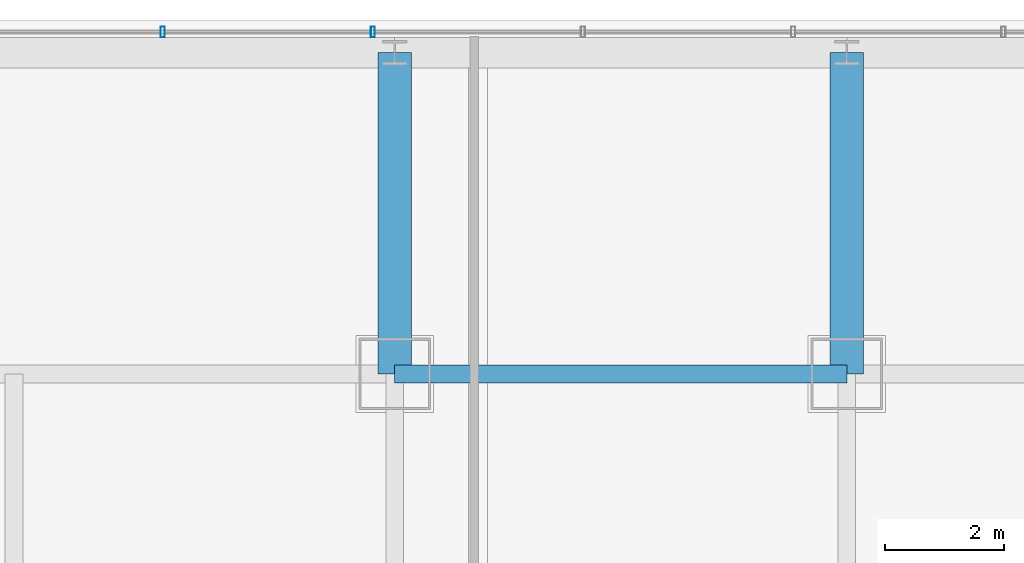
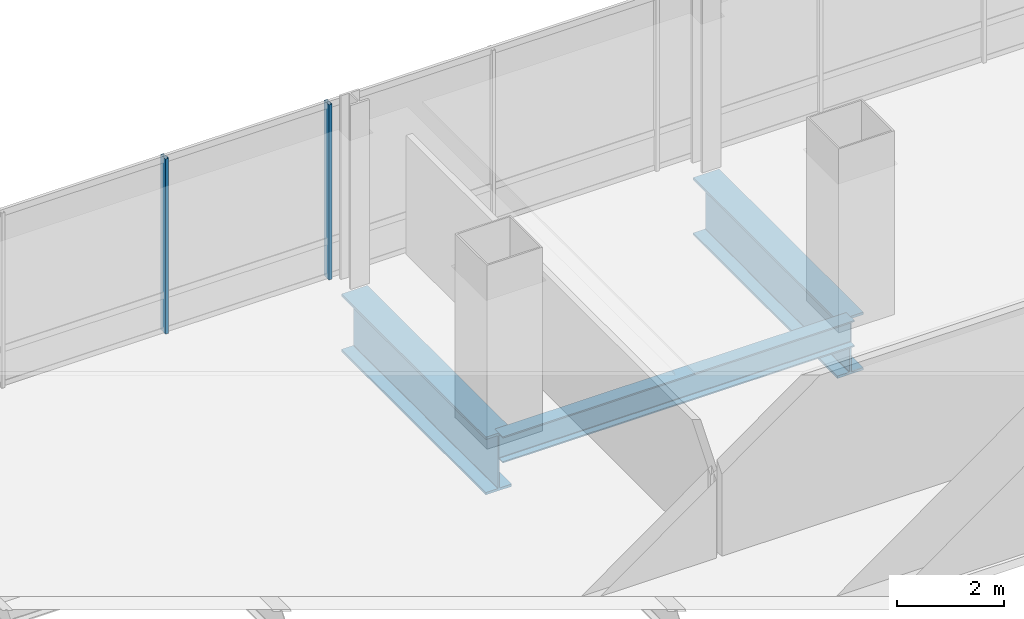
# One storey, part 25 of 41: 3 beams, 2 members, 1 element without a shape of its own.
"""IFC4 building model written with IfcOpenShell, lengths in metres."""

from ifc_helpers import new_model, si_unit, direction, frame, origin, origin_2d, place, context, subcontext, project, spatial, hollow_rectangle, i_section, extrude, material, material_profile, profile_set, type_object, element, aggregate, save


model = new_model("IFC4")

# Units and contexts
model_context = context("Model", 3, precision=1e-05, world=origin(), true_north=direction((0.0, 1.0)))
body_context = subcontext(model_context, "Body", "Model", "MODEL_VIEW")
ifc_project = project(units=[si_unit("LENGTHUNIT", "METRE"), si_unit("AREAUNIT", "SQUARE_METRE"), si_unit("VOLUMEUNIT", "CUBIC_METRE"), si_unit("PLANEANGLEUNIT", "RADIAN"), si_unit("MASSUNIT", "GRAM", prefix="KILO")], contexts=[model_context])

# Site, building, storey
site_placement = place(None, origin())
site = spatial("IfcSite", under=ifc_project, at=site_placement, CompositionType="ELEMENT")
building_placement = place(site_placement, origin())
building = spatial("IfcBuilding", under=site, at=building_placement, Name="Punatoya Terracotta Tower", CompositionType="ELEMENT")
storey_placement = place(building_placement, frame((0.0, 0.0, 309.0)))
storey = spatial("IfcBuildingStorey", under=building, at=storey_placement, Name="L73", CompositionType="ELEMENT", Elevation=309.0)

# Beams
ifc_material_1 = material(Name="Steel S355", Category="steel")
ifc_material_profile_1 = material_profile(ifc_material_1, i_section(OverallWidth=0.300048828125, OverallDepth=0.60009765625, WebThickness=0.015380859375, FlangeThickness=0.030029296875, FilletRadius=0.01806640625, at=origin_2d()))
ifc_profile_set_1 = profile_set([ifc_material_profile_1], Name="Steel S355")
beam_type_1 = type_object("IfcBeamType", Name="BM-PRI-600", PredefinedType="BEAM", material=ifc_profile_set_1)
beam_placement = place(storey_placement, frame((-3.800048828125, 17.5, -0.5), z_axis=(1.0, 0.0, 0.0), x_axis=(0.0, 1.0, 0.0)))
element("IfcBeam", 1, at=beam_placement, inside=storey, type_object=beam_type_1, Name="BM-L73-RG-N2", PredefinedType="BEAM", context=body_context, shape_type="SweptSolid", body=[
    extrude(i_section(OverallWidth=0.300048828125, OverallDepth=0.60009765625, WebThickness=0.015380859375, FlangeThickness=0.030029296875, FilletRadius=0.01806640625, at=origin_2d()), origin(), (0.0, 0.0, 1.0), 7.60009765625),
])
ifc_material_2 = material(Name="Steel S460", Category="steel")
ifc_material_profile_2 = material_profile(ifc_material_2, i_section(OverallWidth=0.56005859375, OverallDepth=1.320068359375, WebThickness=0.035888671875, FlangeThickness=0.054931640625, FilletRadius=0.01806640625, at=origin_2d()))
ifc_profile_set_2 = profile_set([ifc_material_profile_2], Name="Steel S460")
beam_type_2 = type_object("IfcBeamType", Name="BM-TG-BLK", PredefinedType="BEAM", material=ifc_profile_set_2)
for number, where, z_axis, x_axis, name in (
    (2, (-3.800048828125, 17.5, -0.860107421875), (0.0, 1.0, 0.0), (-1.0, 0.0, 0.0), "BM-L73-CANT-N2"),
    (3, (3.800048828125, 17.5, -0.860107421875), (0.0, 1.0, 0.0), (-1.0, 0.0, 0.0), "BM-L73-CANT-N3"),
):
    element("IfcBeam", number, at=place(storey_placement, frame(where, z_axis=z_axis, x_axis=x_axis)), inside=storey, type_object=beam_type_2, Name=name, PredefinedType="BEAM", context=body_context, shape_type="SweptSolid", body=[
        extrude(i_section(OverallWidth=0.56005859375, OverallDepth=1.320068359375, WebThickness=0.035888671875, FlangeThickness=0.054931640625, FilletRadius=0.01806640625, at=origin_2d()), origin(), (0.0, 0.0, 1.0), 5.39990234375),
    ])

# Curtain wall, members
ifc_material_3 = material(Name="Aluminium 6063-T6 + Double Low-E Glass", Category="aluminium")
curtain_wall_type = type_object("IfcCurtainWallType", Name="CW-M3", PredefinedType="NOTDEFINED", material=ifc_material_3)
curtain_wall_placement = place(storey_placement, origin())
curtain_wall = element("IfcCurtainWall", 4, at=curtain_wall_placement, inside=storey, type_object=curtain_wall_type, Name="L73 Curtain Wall CW-L73-N09-1", PredefinedType="NOTDEFINED")
ifc_material_4 = material(Name="Aluminium 6063-T6", Category="aluminium")
ifc_material_profile_3 = material_profile(ifc_material_4, hollow_rectangle(XDim=0.070068359375, YDim=0.179931640625, WallThickness=0.00390625, at=origin_2d()))
ifc_profile_set_3 = profile_set([ifc_material_profile_3], Name="Aluminium 6063-T6")
member_type = type_object("IfcMemberType", Name="CW-MUL-M3", PredefinedType="MULLION", material=ifc_profile_set_3)
member_1_placement = place(storey_placement, frame((-4.1669921875, 23.25, 0.0), z_axis=(0.0, 0.0, 1.0), x_axis=(1.0, 0.0, 0.0)))
member_1 = element("IfcMember", 5, at=member_1_placement, type_object=member_type, Name="CW-L73-N09-1 Mullion 06", PredefinedType="MULLION", context=body_context, shape_type="SweptSolid", body=[
    extrude(hollow_rectangle(XDim=0.070068359375, YDim=0.179931640625, WallThickness=0.00390625, at=origin_2d()), origin(), (0.0, 0.0, 1.0), 4.0),
])
member_2_placement = place(storey_placement, frame((-7.700927734375, 23.25, 0.0), z_axis=(0.0, 0.0, 1.0), x_axis=(1.0, 0.0, 0.0)))
member_2 = element("IfcMember", 6, at=member_2_placement, type_object=member_type, Name="CW-L73-N09-1 Mullion 07", PredefinedType="MULLION", context=body_context, shape_type="SweptSolid", body=[
    extrude(hollow_rectangle(XDim=0.070068359375, YDim=0.179931640625, WallThickness=0.00390625, at=origin_2d()), origin(), (0.0, 0.0, 1.0), 4.0),
])
aggregate(curtain_wall, [member_1, member_2])

save(model, "model.ifc")
